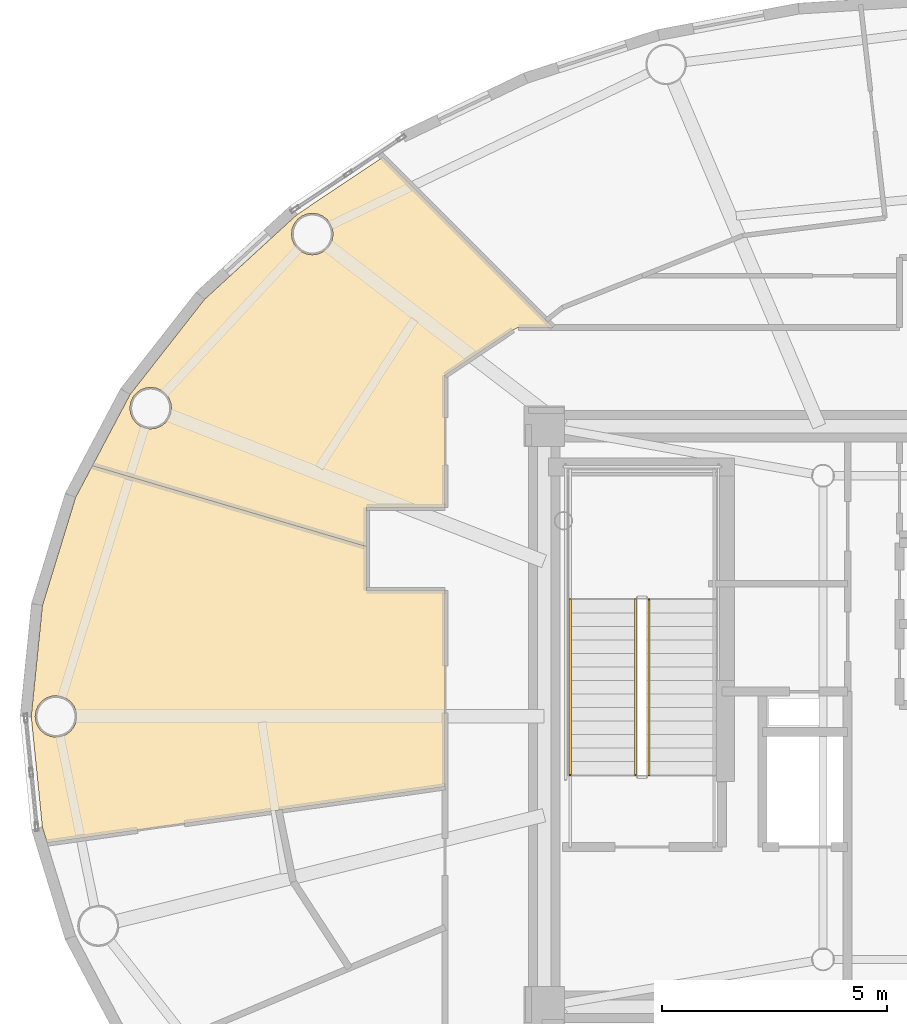
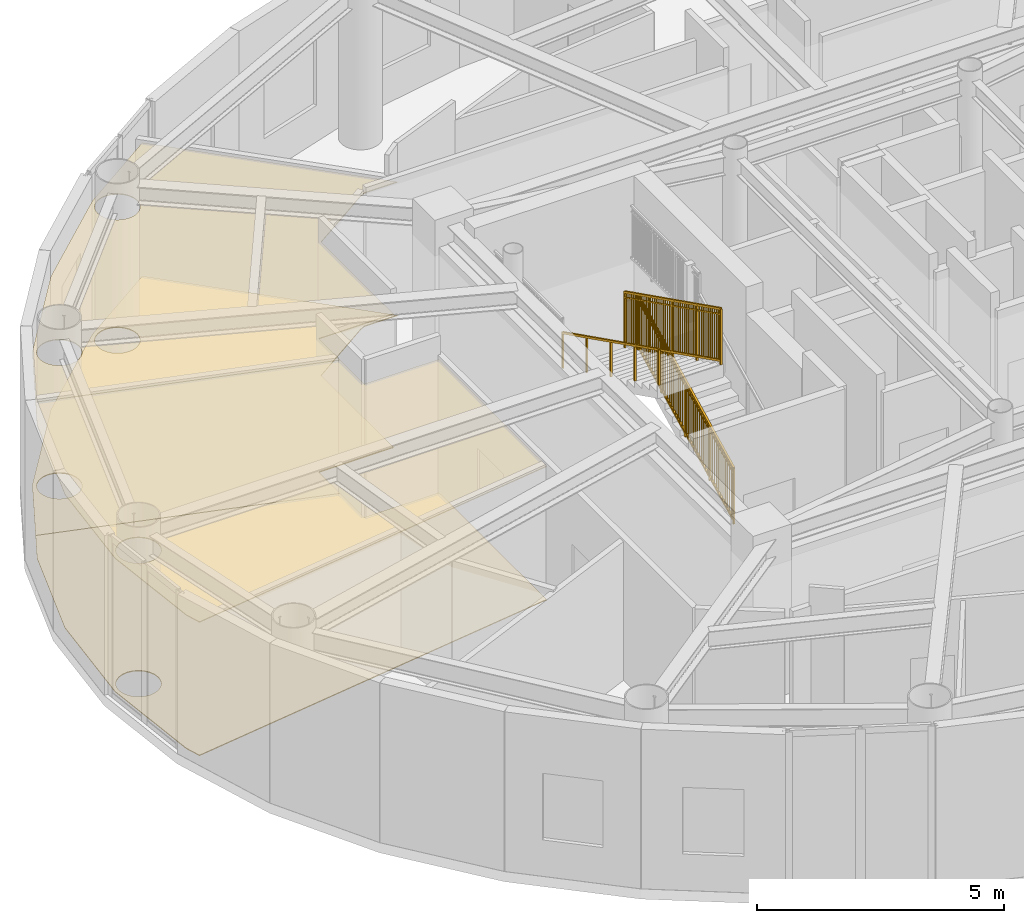
# One storey, part 22 of 24: 4 coverings, 3 railings.
"""IFC4 building model written with IfcOpenShell, lengths in metres."""

from ifc_helpers import new_model, si_unit, direction, frame, origin, origin_2d, place, context, subcontext, project, spatial, polyline, rectangle, outline, extrude, source, transform, mapped, material, layer, layer_set, type_object, element, save


model = new_model("IFC4")

# Units and contexts
model_context = context("Model", 3, precision=1e-05, world=origin(), true_north=direction((0.0, 1.0)))
body_context = subcontext(model_context, "Body", "Model", "MODEL_VIEW")
ifc_project = project(units=[si_unit("LENGTHUNIT", "METRE"), si_unit("AREAUNIT", "SQUARE_METRE"), si_unit("VOLUMEUNIT", "CUBIC_METRE"), si_unit("PLANEANGLEUNIT", "RADIAN"), si_unit("MASSUNIT", "GRAM", prefix="KILO")], contexts=[model_context])

# Site, building, storey
site_placement = place(None, origin())
site = spatial("IfcSite", under=ifc_project, at=site_placement, CompositionType="ELEMENT")
building_placement = place(site_placement, origin())
building = spatial("IfcBuilding", under=site, at=building_placement, Name="Linh Dai School and Residence Tower", CompositionType="ELEMENT")
storey_placement = place(building_placement, frame((0.0, 0.0, 355.199951171875)))
storey = spatial("IfcBuildingStorey", under=building, at=storey_placement, Name="L88", CompositionType="ELEMENT", Elevation=355.199951171875)

# Coverings
ifc_material_1 = material(Name="Mineral Fibre Acoustic Suspended Ceiling", Category="masonry")
ifc_layer_1 = layer(ifc_material_1, 0.02001953125)
ifc_layer_set_1 = layer_set([ifc_layer_1], Name="Mineral Fibre Acoustic Suspended Ceiling")
covering_type_1 = type_object("IfcCoveringType", Name="COV-CEIL-AC-20", PredefinedType="CEILING", material=ifc_layer_set_1)
covering_1_placement = place(storey_placement, frame((0.0, 0.0, 3.300048828125)))
element("IfcCovering", 1, at=covering_1_placement, inside=storey, type_object=covering_type_1, Name="L88 Crown Sky Wintergarden Lounge Suspended Ceiling", PredefinedType="CEILING", context=body_context, shape_type="SweptSolid", body=[
    extrude(outline(polyline([(19.598388671875, 36.266845703125), (21.658447265625, 38.15576171875), (23.5673828125, 39.4326171875), (27.35009765625, 35.64990234375), (26.580078125, 35.64990234375), (26.458740234375, 35.591796875), (24.949951171875, 34.58251953125), (24.949951171875, 31.64990234375), (23.199951171875, 31.64990234375), (23.199951171875, 30.777099609375), (17.109130859375, 32.57421875), (17.94384765625, 34.152587890625), (19.598388671875, 36.266845703125)]), holes=[polyline([(22.44384765625, 37.603271484375), (22.459716796875, 37.722900390625), (22.44384765625, 37.84228515625), (22.397705078125, 37.953857421875), (22.32421875, 38.049560546875), (22.228515625, 38.122802734375), (22.1171875, 38.1689453125), (21.99755859375, 38.184814453125), (21.8779296875, 38.1689453125), (21.7666015625, 38.122802734375), (21.6708984375, 38.049560546875), (21.597412109375, 37.953857421875), (21.55126953125, 37.84228515625), (21.53564453125, 37.722900390625), (21.55126953125, 37.603271484375), (21.597412109375, 37.49169921875), (21.6708984375, 37.39599609375), (21.7666015625, 37.32275390625), (21.8779296875, 37.276611328125), (21.99755859375, 37.2607421875), (22.1171875, 37.276611328125), (22.228515625, 37.32275390625), (22.32421875, 37.39599609375), (22.397705078125, 37.49169921875), (22.44384765625, 37.603271484375)]), polyline([(18.851318359375, 33.73291015625), (18.866943359375, 33.8525390625), (18.851318359375, 33.97216796875), (18.804931640625, 34.08349609375), (18.731689453125, 34.17919921875), (18.635986328125, 34.252685546875), (18.5244140625, 34.298828125), (18.40478515625, 34.314453125), (18.285400390625, 34.298828125), (18.173828125, 34.252685546875), (18.078369140625, 34.17919921875), (18.0048828125, 34.08349609375), (17.958740234375, 33.97216796875), (17.94287109375, 33.8525390625), (17.958740234375, 33.73291015625), (18.0048828125, 33.62158203125), (18.078369140625, 33.52587890625), (18.173828125, 33.452392578125), (18.285400390625, 33.40625), (18.40478515625, 33.390380859375), (18.5244140625, 33.40625), (18.635986328125, 33.452392578125), (18.731689453125, 33.52587890625), (18.804931640625, 33.62158203125), (18.851318359375, 33.73291015625)])]), origin(), (0.0, 0.0, 1.0), 0.02001953125),
])
covering_2_placement = place(storey_placement, frame((0.0, 0.0, 3.300048828125)))
element("IfcCovering", 2, at=covering_2_placement, inside=storey, type_object=covering_type_1, Name="L88 Crown Sky Wintergarden Lounge Reading Room Suspended Ceiling", PredefinedType="CEILING", context=body_context, shape_type="SweptSolid", body=[
    extrude(outline(polyline([(15.75, 27.0), (15.997314453125, 29.4619140625), (16.734375, 31.865478515625), (17.109130859375, 32.57421875), (23.199951171875, 30.777099609375), (23.199951171875, 29.800048828125), (24.949951171875, 29.800048828125), (24.949951171875, 25.439208984375), (16.104248046875, 24.189697265625), (15.997314453125, 24.5380859375), (15.75, 27.0)]), holes=[polyline([(16.746337890625, 27.11962890625), (16.7001953125, 27.23095703125), (16.626708984375, 27.32666015625), (16.531005859375, 27.400146484375), (16.419677734375, 27.4462890625), (16.300048828125, 27.4619140625), (16.180419921875, 27.4462890625), (16.069091796875, 27.400146484375), (15.973388671875, 27.32666015625), (15.89990234375, 27.23095703125), (15.853759765625, 27.11962890625), (15.837890625, 27.0), (15.853759765625, 26.88037109375), (15.89990234375, 26.76904296875), (15.973388671875, 26.67333984375), (16.069091796875, 26.599853515625), (16.180419921875, 26.5537109375), (16.300048828125, 26.5380859375), (16.419677734375, 26.5537109375), (16.531005859375, 26.599853515625), (16.626708984375, 26.67333984375), (16.7001953125, 26.76904296875), (16.746337890625, 26.88037109375), (16.761962890625, 27.0), (16.746337890625, 27.11962890625)])]), origin(), (0.0, 0.0, 1.0), 0.02001953125),
])
ifc_material_2 = material(Name="Polished Terrazzo Floor Finish", Category="masonry")
ifc_layer_2 = layer(ifc_material_2, 0.02490234375)
ifc_layer_set_2 = layer_set([ifc_layer_2], Name="Polished Terrazzo Floor Finish")
covering_type_2 = type_object("IfcCoveringType", Name="COV-FLR-TRZ-25", PredefinedType="FLOORING", material=ifc_layer_set_2)
covering_3_placement = place(storey_placement, origin())
element("IfcCovering", 3, at=covering_3_placement, inside=storey, type_object=covering_type_2, Name="L88 Crown Sky Wintergarden Lounge Floor Finish", PredefinedType="FLOORING", context=body_context, shape_type="SweptSolid", body=[
    extrude(outline(polyline([(19.598388671875, 36.266845703125), (21.658447265625, 38.15576171875), (23.5673828125, 39.4326171875), (27.35009765625, 35.64990234375), (26.580078125, 35.64990234375), (26.458740234375, 35.591796875), (24.949951171875, 34.58251953125), (24.949951171875, 31.64990234375), (23.199951171875, 31.64990234375), (23.199951171875, 30.777099609375), (17.109130859375, 32.57421875), (17.94384765625, 34.152587890625), (19.598388671875, 36.266845703125)]), holes=[polyline([(22.44384765625, 37.603271484375), (22.459716796875, 37.722900390625), (22.44384765625, 37.84228515625), (22.397705078125, 37.953857421875), (22.32421875, 38.049560546875), (22.228515625, 38.122802734375), (22.1171875, 38.1689453125), (21.99755859375, 38.184814453125), (21.8779296875, 38.1689453125), (21.7666015625, 38.122802734375), (21.6708984375, 38.049560546875), (21.597412109375, 37.953857421875), (21.55126953125, 37.84228515625), (21.53564453125, 37.722900390625), (21.55126953125, 37.603271484375), (21.597412109375, 37.49169921875), (21.6708984375, 37.39599609375), (21.7666015625, 37.32275390625), (21.8779296875, 37.276611328125), (21.99755859375, 37.2607421875), (22.1171875, 37.276611328125), (22.228515625, 37.32275390625), (22.32421875, 37.39599609375), (22.397705078125, 37.49169921875), (22.44384765625, 37.603271484375)]), polyline([(18.851318359375, 33.73291015625), (18.866943359375, 33.8525390625), (18.851318359375, 33.97216796875), (18.804931640625, 34.08349609375), (18.731689453125, 34.17919921875), (18.635986328125, 34.252685546875), (18.5244140625, 34.298828125), (18.40478515625, 34.314453125), (18.285400390625, 34.298828125), (18.173828125, 34.252685546875), (18.078369140625, 34.17919921875), (18.0048828125, 34.08349609375), (17.958740234375, 33.97216796875), (17.94287109375, 33.8525390625), (17.958740234375, 33.73291015625), (18.0048828125, 33.62158203125), (18.078369140625, 33.52587890625), (18.173828125, 33.452392578125), (18.285400390625, 33.40625), (18.40478515625, 33.390380859375), (18.5244140625, 33.40625), (18.635986328125, 33.452392578125), (18.731689453125, 33.52587890625), (18.804931640625, 33.62158203125), (18.851318359375, 33.73291015625)])]), origin(), (0.0, 0.0, 1.0), 0.02001953125),
])
covering_4_placement = place(storey_placement, origin())
element("IfcCovering", 4, at=covering_4_placement, inside=storey, type_object=covering_type_2, Name="L88 Crown Sky Wintergarden Lounge Reading Room Floor Finish", PredefinedType="FLOORING", context=body_context, shape_type="SweptSolid", body=[
    extrude(outline(polyline([(15.75, 27.0), (15.997314453125, 29.4619140625), (16.734375, 31.865478515625), (17.109130859375, 32.57421875), (23.199951171875, 30.777099609375), (23.199951171875, 29.800048828125), (24.949951171875, 29.800048828125), (24.949951171875, 25.439208984375), (16.104248046875, 24.189697265625), (15.997314453125, 24.5380859375), (15.75, 27.0)]), holes=[polyline([(16.746337890625, 27.11962890625), (16.7001953125, 27.23095703125), (16.626708984375, 27.32666015625), (16.531005859375, 27.400146484375), (16.419677734375, 27.4462890625), (16.300048828125, 27.4619140625), (16.180419921875, 27.4462890625), (16.069091796875, 27.400146484375), (15.973388671875, 27.32666015625), (15.89990234375, 27.23095703125), (15.853759765625, 27.11962890625), (15.837890625, 27.0), (15.853759765625, 26.88037109375), (15.89990234375, 26.76904296875), (15.973388671875, 26.67333984375), (16.069091796875, 26.599853515625), (16.180419921875, 26.5537109375), (16.300048828125, 26.5380859375), (16.419677734375, 26.5537109375), (16.531005859375, 26.599853515625), (16.626708984375, 26.67333984375), (16.7001953125, 26.76904296875), (16.746337890625, 26.88037109375), (16.761962890625, 27.0), (16.746337890625, 27.11962890625)])]), origin(), (0.0, 0.0, 1.0), 0.02001953125),
])

# Railings
ifc_material_3 = material(Name="Structural Steel S355JR", Category="steel")
railing_type_1 = type_object("IfcRailingType", Name="RL-ST-GUARD-1400", PredefinedType="GUARDRAIL", material=ifc_material_3)
shared_shape_1 = source(origin(), body_context, "Body", "SweptSolid", [
    extrude(rectangle(XDim=0.048095703125, YDim=0.048095703125, at=origin_2d()), frame((0.0, 0.0, 1.3759765625), z_axis=(0.0, -0.894438388696, 0.447191199406), x_axis=(1.0, 0.0, 0.0)), (0.0, 0.0, 1.0), 4.3603515625),
    extrude(rectangle(XDim=0.048095703125, YDim=0.048095703125, at=origin_2d()), frame((0.0, 0.0, 0.10009765625), z_axis=(0.0, -0.894438388696, 0.447191199406), x_axis=(1.0, 0.0, 0.0)), (0.0, 0.0, 1.0), 4.3603515625),
    extrude(rectangle(XDim=0.030029296875, YDim=0.030029296875, at=origin_2d()), frame((0.0, 0.0, 1.239990234375), z_axis=(0.0, -0.894438388696, 0.447191199406), x_axis=(1.0, 0.0, 0.0)), (0.0, 0.0, 1.0), 4.3603515625),
    extrude(rectangle(XDim=0.02001953125, YDim=0.02001953125, at=origin_2d()), frame((0.0, -0.086669921875, 0.143310546875)), (0.0, 0.0, 1.0), 1.251708984375),
    extrude(rectangle(XDim=0.02001953125, YDim=0.02001953125, at=origin_2d()), frame((0.0, -0.17333984375, 0.186767578125)), (0.0, 0.0, 1.0), 1.251708984375),
    extrude(rectangle(XDim=0.02001953125, YDim=0.02001953125, at=origin_2d()), frame((0.0, -0.260009765625, 0.22998046875)), (0.0, 0.0, 1.0), 1.251708984375),
    extrude(rectangle(XDim=0.02001953125, YDim=0.02001953125, at=origin_2d()), frame((0.0, -0.3466796875, 0.2734375)), (0.0, 0.0, 1.0), 1.251708984375),
    extrude(rectangle(XDim=0.02001953125, YDim=0.02001953125, at=origin_2d()), frame((0.0, -0.433349609375, 0.316650390625)), (0.0, 0.0, 1.0), 1.251708984375),
    extrude(rectangle(XDim=0.02001953125, YDim=0.02001953125, at=origin_2d()), frame((0.0, -0.52001953125, 0.360107421875)), (0.0, 0.0, 1.0), 1.251708984375),
    extrude(rectangle(XDim=0.02001953125, YDim=0.02001953125, at=origin_2d()), frame((0.0, -0.606689453125, 0.4033203125)), (0.0, 0.0, 1.0), 1.251708984375),
    extrude(rectangle(XDim=0.02001953125, YDim=0.02001953125, at=origin_2d()), frame((0.0, -0.693359375, 0.44677734375)), (0.0, 0.0, 1.0), 1.251708984375),
    extrude(rectangle(XDim=0.02001953125, YDim=0.02001953125, at=origin_2d()), frame((0.0, -0.780029296875, 0.489990234375)), (0.0, 0.0, 1.0), 1.251708984375),
    extrude(rectangle(XDim=0.02001953125, YDim=0.02001953125, at=origin_2d()), frame((0.0, -0.86669921875, 0.533447265625)), (0.0, 0.0, 1.0), 1.251708984375),
    extrude(rectangle(XDim=0.02001953125, YDim=0.02001953125, at=origin_2d()), frame((0.0, -1.0400390625, 0.6201171875)), (0.0, 0.0, 1.0), 1.251708984375),
    extrude(rectangle(XDim=0.02001953125, YDim=0.02001953125, at=origin_2d()), frame((0.0, -1.126708984375, 0.663330078125)), (0.0, 0.0, 1.0), 1.251708984375),
    extrude(rectangle(XDim=0.02001953125, YDim=0.02001953125, at=origin_2d()), frame((0.0, -1.21337890625, 0.706787109375)), (0.0, 0.0, 1.0), 1.251708984375),
    extrude(rectangle(XDim=0.02001953125, YDim=0.02001953125, at=origin_2d()), frame((0.0, -1.300048828125, 0.75)), (0.0, 0.0, 1.0), 1.251708984375),
    extrude(rectangle(XDim=0.02001953125, YDim=0.02001953125, at=origin_2d()), frame((0.0, -1.38671875, 0.79345703125)), (0.0, 0.0, 1.0), 1.251708984375),
    extrude(rectangle(XDim=0.02001953125, YDim=0.02001953125, at=origin_2d()), frame((0.0, -1.473388671875, 0.836669921875)), (0.0, 0.0, 1.0), 1.251708984375),
    extrude(rectangle(XDim=0.02001953125, YDim=0.02001953125, at=origin_2d()), frame((0.0, -1.56005859375, 0.880126953125)), (0.0, 0.0, 1.0), 1.251708984375),
    extrude(rectangle(XDim=0.02001953125, YDim=0.02001953125, at=origin_2d()), frame((0.0, -1.646728515625, 0.92333984375)), (0.0, 0.0, 1.0), 1.251708984375),
    extrude(rectangle(XDim=0.02001953125, YDim=0.02001953125, at=origin_2d()), frame((0.0, -1.7333984375, 0.966796875)), (0.0, 0.0, 1.0), 1.251708984375),
    extrude(rectangle(XDim=0.02001953125, YDim=0.02001953125, at=origin_2d()), frame((0.0, -1.820068359375, 1.010009765625)), (0.0, 0.0, 1.0), 1.251708984375),
    extrude(rectangle(XDim=0.02001953125, YDim=0.02001953125, at=origin_2d()), frame((0.0, -1.90673828125, 1.053466796875)), (0.0, 0.0, 1.0), 1.251708984375),
    extrude(rectangle(XDim=0.02001953125, YDim=0.02001953125, at=origin_2d()), frame((0.0, -1.993408203125, 1.0966796875)), (0.0, 0.0, 1.0), 1.251708984375),
    extrude(rectangle(XDim=0.02001953125, YDim=0.02001953125, at=origin_2d()), frame((0.0, -2.080078125, 1.14013671875)), (0.0, 0.0, 1.0), 1.251708984375),
    extrude(rectangle(XDim=0.02001953125, YDim=0.02001953125, at=origin_2d()), frame((0.0, -2.166748046875, 1.183349609375)), (0.0, 0.0, 1.0), 1.251708984375),
    extrude(rectangle(XDim=0.02001953125, YDim=0.02001953125, at=origin_2d()), frame((0.0, -2.25341796875, 1.226806640625)), (0.0, 0.0, 1.0), 1.251708984375),
    extrude(rectangle(XDim=0.02001953125, YDim=0.02001953125, at=origin_2d()), frame((0.0, -2.340087890625, 1.27001953125)), (0.0, 0.0, 1.0), 1.251708984375),
    extrude(rectangle(XDim=0.02001953125, YDim=0.02001953125, at=origin_2d()), frame((0.0, -2.4267578125, 1.3134765625)), (0.0, 0.0, 1.0), 1.251708984375),
    extrude(rectangle(XDim=0.02001953125, YDim=0.02001953125, at=origin_2d()), frame((0.0, -2.513427734375, 1.356689453125)), (0.0, 0.0, 1.0), 1.251708984375),
    extrude(rectangle(XDim=0.02001953125, YDim=0.02001953125, at=origin_2d()), frame((0.0, -2.60009765625, 1.400146484375)), (0.0, 0.0, 1.0), 1.251708984375),
    extrude(rectangle(XDim=0.02001953125, YDim=0.02001953125, at=origin_2d()), frame((0.0, -2.686767578125, 1.443359375)), (0.0, 0.0, 1.0), 1.251708984375),
    extrude(rectangle(XDim=0.02001953125, YDim=0.02001953125, at=origin_2d()), frame((0.0, -2.7734375, 1.48681640625)), (0.0, 0.0, 1.0), 1.251708984375),
    extrude(rectangle(XDim=0.02001953125, YDim=0.02001953125, at=origin_2d()), frame((0.0, -2.860107421875, 1.530029296875)), (0.0, 0.0, 1.0), 1.251708984375),
    extrude(rectangle(XDim=0.02001953125, YDim=0.02001953125, at=origin_2d()), frame((0.0, -3.033447265625, 1.61669921875)), (0.0, 0.0, 1.0), 1.251708984375),
    extrude(rectangle(XDim=0.02001953125, YDim=0.02001953125, at=origin_2d()), frame((0.0, -3.1201171875, 1.66015625)), (0.0, 0.0, 1.0), 1.251708984375),
    extrude(rectangle(XDim=0.02001953125, YDim=0.02001953125, at=origin_2d()), frame((0.0, -3.206787109375, 1.703369140625)), (0.0, 0.0, 1.0), 1.251708984375),
    extrude(rectangle(XDim=0.02001953125, YDim=0.02001953125, at=origin_2d()), frame((0.0, -3.29345703125, 1.746826171875)), (0.0, 0.0, 1.0), 1.251708984375),
    extrude(rectangle(XDim=0.02001953125, YDim=0.02001953125, at=origin_2d()), frame((0.0, -3.380126953125, 1.7900390625)), (0.0, 0.0, 1.0), 1.251708984375),
    extrude(rectangle(XDim=0.02001953125, YDim=0.02001953125, at=origin_2d()), frame((0.0, -3.466796875, 1.83349609375)), (0.0, 0.0, 1.0), 1.251708984375),
    extrude(rectangle(XDim=0.02001953125, YDim=0.02001953125, at=origin_2d()), frame((0.0, -3.553466796875, 1.876708984375)), (0.0, 0.0, 1.0), 1.251708984375),
    extrude(rectangle(XDim=0.02001953125, YDim=0.02001953125, at=origin_2d()), frame((0.0, -3.64013671875, 1.920166015625)), (0.0, 0.0, 1.0), 1.251708984375),
    extrude(rectangle(XDim=0.02001953125, YDim=0.02001953125, at=origin_2d()), frame((0.0, -3.726806640625, 1.96337890625)), (0.0, 0.0, 1.0), 1.251708984375),
    extrude(rectangle(XDim=0.02001953125, YDim=0.02001953125, at=origin_2d()), frame((0.0, -3.8134765625, 2.0068359375)), (0.0, 0.0, 1.0), 1.251708984375),
    extrude(rectangle(XDim=0.0419921875, YDim=0.0419921875, at=origin_2d()), origin(), (0.0, 0.0, 1.0), 1.3759765625),
    extrude(rectangle(XDim=0.0419921875, YDim=0.0419921875, at=origin_2d()), frame((0.0, -0.97509765625, 0.487548828125)), (0.0, 0.0, 1.0), 1.3759765625),
    extrude(rectangle(XDim=0.0419921875, YDim=0.0419921875, at=origin_2d()), frame((0.0, -1.9501953125, 0.97509765625)), (0.0, 0.0, 1.0), 1.3759765625),
    extrude(rectangle(XDim=0.0419921875, YDim=0.0419921875, at=origin_2d()), frame((0.0, -2.925048828125, 1.46240234375)), (0.0, 0.0, 1.0), 1.3759765625),
    extrude(rectangle(XDim=0.0419921875, YDim=0.0419921875, at=origin_2d()), frame((0.0, -3.900146484375, 1.949951171875)), (0.0, 0.0, 1.0), 1.3759765625),
])
railing_1_placement = place(storey_placement, frame((29.179931640625, 29.60009765625, 2.25)))
element("IfcRailing", 5, at=railing_1_placement, inside=storey, type_object=railing_type_1, Name="L88 ST1 stair guard 6", PredefinedType="GUARDRAIL", context=body_context, shape_type="MappedRepresentation", body=[
    mapped(shared_shape_1, transform((0.0, 0.0, 0.0), x_axis=(1.0, 0.0, 0.0), y_axis=(0.0, 1.0, 0.0), z_axis=(0.0, 0.0, 1.0), scale=1.0)),
])
ifc_material_4 = material(Name="Brushed Stainless Steel Handrail", Category="steel")
railing_type_2 = type_object("IfcRailingType", Name="RL-ST-HANDRAIL-900", PredefinedType="HANDRAIL", material=ifc_material_4)
shared_shape_2 = source(origin(), body_context, "Body", "SweptSolid", [
    extrude(rectangle(XDim=0.048095703125, YDim=0.048095703125, at=origin_2d()), frame((0.0, 0.0, 0.8759765625), z_axis=(0.0, -0.894438388696, 0.447191199406), x_axis=(1.0, 0.0, 0.0)), (0.0, 0.0, 1.0), 4.3603515625),
    extrude(rectangle(XDim=0.0419921875, YDim=0.0419921875, at=origin_2d()), origin(), (0.0, 0.0, 1.0), 0.8759765625),
    extrude(rectangle(XDim=0.0419921875, YDim=0.0419921875, at=origin_2d()), frame((0.0, -0.97509765625, 0.487548828125)), (0.0, 0.0, 1.0), 0.8759765625),
    extrude(rectangle(XDim=0.0419921875, YDim=0.0419921875, at=origin_2d()), frame((0.0, -1.9501953125, 0.97509765625)), (0.0, 0.0, 1.0), 0.8759765625),
    extrude(rectangle(XDim=0.0419921875, YDim=0.0419921875, at=origin_2d()), frame((0.0, -2.925048828125, 1.46240234375)), (0.0, 0.0, 1.0), 0.8759765625),
    extrude(rectangle(XDim=0.0419921875, YDim=0.0419921875, at=origin_2d()), frame((0.0, -3.900146484375, 1.949951171875)), (0.0, 0.0, 1.0), 0.8759765625),
])
railing_2_placement = place(storey_placement, frame((27.72998046875, 29.60009765625, 2.25)))
element("IfcRailing", 6, at=railing_2_placement, inside=storey, type_object=railing_type_2, Name="L88 ST1 stair handrail 2", PredefinedType="HANDRAIL", context=body_context, shape_type="MappedRepresentation", body=[
    mapped(shared_shape_2, transform((0.0, 0.0, 0.0), x_axis=(1.0, 0.0, 0.0), y_axis=(0.0, 1.0, 0.0), z_axis=(0.0, 0.0, 1.0), scale=1.0)),
])
shared_shape_3 = source(origin(), body_context, "Body", "SweptSolid", [
    extrude(rectangle(XDim=0.048095703125, YDim=0.048095703125, at=origin_2d()), frame((0.0, 0.0, 1.3759765625), z_axis=(0.0, 0.894438388696, 0.447191199406), x_axis=(-1.0, 0.0, 0.0)), (0.0, 0.0, 1.0), 4.3603515625),
    extrude(rectangle(XDim=0.048095703125, YDim=0.048095703125, at=origin_2d()), frame((0.0, 0.0, 0.10009765625), z_axis=(0.0, 0.894438388696, 0.447191199406), x_axis=(-1.0, 0.0, 0.0)), (0.0, 0.0, 1.0), 4.3603515625),
    extrude(rectangle(XDim=0.030029296875, YDim=0.030029296875, at=origin_2d()), frame((0.0, 0.0, 1.239990234375), z_axis=(0.0, 0.894438388696, 0.447191199406), x_axis=(-1.0, 0.0, 0.0)), (0.0, 0.0, 1.0), 4.3603515625),
    extrude(rectangle(XDim=0.02001953125, YDim=0.02001953125, at=origin_2d()), frame((0.0, 0.086669921875, 0.143310546875)), (0.0, 0.0, 1.0), 1.251708984375),
    extrude(rectangle(XDim=0.02001953125, YDim=0.02001953125, at=origin_2d()), frame((0.0, 0.17333984375, 0.186767578125)), (0.0, 0.0, 1.0), 1.251708984375),
    extrude(rectangle(XDim=0.02001953125, YDim=0.02001953125, at=origin_2d()), frame((0.0, 0.260009765625, 0.22998046875)), (0.0, 0.0, 1.0), 1.251708984375),
    extrude(rectangle(XDim=0.02001953125, YDim=0.02001953125, at=origin_2d()), frame((0.0, 0.3466796875, 0.2734375)), (0.0, 0.0, 1.0), 1.251708984375),
    extrude(rectangle(XDim=0.02001953125, YDim=0.02001953125, at=origin_2d()), frame((0.0, 0.433349609375, 0.316650390625)), (0.0, 0.0, 1.0), 1.251708984375),
    extrude(rectangle(XDim=0.02001953125, YDim=0.02001953125, at=origin_2d()), frame((0.0, 0.52001953125, 0.360107421875)), (0.0, 0.0, 1.0), 1.251708984375),
    extrude(rectangle(XDim=0.02001953125, YDim=0.02001953125, at=origin_2d()), frame((0.0, 0.606689453125, 0.4033203125)), (0.0, 0.0, 1.0), 1.251708984375),
    extrude(rectangle(XDim=0.02001953125, YDim=0.02001953125, at=origin_2d()), frame((0.0, 0.693359375, 0.44677734375)), (0.0, 0.0, 1.0), 1.251708984375),
    extrude(rectangle(XDim=0.02001953125, YDim=0.02001953125, at=origin_2d()), frame((0.0, 0.780029296875, 0.489990234375)), (0.0, 0.0, 1.0), 1.251708984375),
    extrude(rectangle(XDim=0.02001953125, YDim=0.02001953125, at=origin_2d()), frame((0.0, 0.86669921875, 0.533447265625)), (0.0, 0.0, 1.0), 1.251708984375),
    extrude(rectangle(XDim=0.02001953125, YDim=0.02001953125, at=origin_2d()), frame((0.0, 1.0400390625, 0.6201171875)), (0.0, 0.0, 1.0), 1.251708984375),
    extrude(rectangle(XDim=0.02001953125, YDim=0.02001953125, at=origin_2d()), frame((0.0, 1.126708984375, 0.663330078125)), (0.0, 0.0, 1.0), 1.251708984375),
    extrude(rectangle(XDim=0.02001953125, YDim=0.02001953125, at=origin_2d()), frame((0.0, 1.21337890625, 0.706787109375)), (0.0, 0.0, 1.0), 1.251708984375),
    extrude(rectangle(XDim=0.02001953125, YDim=0.02001953125, at=origin_2d()), frame((0.0, 1.300048828125, 0.75)), (0.0, 0.0, 1.0), 1.251708984375),
    extrude(rectangle(XDim=0.02001953125, YDim=0.02001953125, at=origin_2d()), frame((0.0, 1.38671875, 0.79345703125)), (0.0, 0.0, 1.0), 1.251708984375),
    extrude(rectangle(XDim=0.02001953125, YDim=0.02001953125, at=origin_2d()), frame((0.0, 1.473388671875, 0.836669921875)), (0.0, 0.0, 1.0), 1.251708984375),
    extrude(rectangle(XDim=0.02001953125, YDim=0.02001953125, at=origin_2d()), frame((0.0, 1.56005859375, 0.880126953125)), (0.0, 0.0, 1.0), 1.251708984375),
    extrude(rectangle(XDim=0.02001953125, YDim=0.02001953125, at=origin_2d()), frame((0.0, 1.646728515625, 0.92333984375)), (0.0, 0.0, 1.0), 1.251708984375),
    extrude(rectangle(XDim=0.02001953125, YDim=0.02001953125, at=origin_2d()), frame((0.0, 1.7333984375, 0.966796875)), (0.0, 0.0, 1.0), 1.251708984375),
    extrude(rectangle(XDim=0.02001953125, YDim=0.02001953125, at=origin_2d()), frame((0.0, 1.820068359375, 1.010009765625)), (0.0, 0.0, 1.0), 1.251708984375),
    extrude(rectangle(XDim=0.02001953125, YDim=0.02001953125, at=origin_2d()), frame((0.0, 1.90673828125, 1.053466796875)), (0.0, 0.0, 1.0), 1.251708984375),
    extrude(rectangle(XDim=0.02001953125, YDim=0.02001953125, at=origin_2d()), frame((0.0, 1.993408203125, 1.0966796875)), (0.0, 0.0, 1.0), 1.251708984375),
    extrude(rectangle(XDim=0.02001953125, YDim=0.02001953125, at=origin_2d()), frame((0.0, 2.080078125, 1.14013671875)), (0.0, 0.0, 1.0), 1.251708984375),
    extrude(rectangle(XDim=0.02001953125, YDim=0.02001953125, at=origin_2d()), frame((0.0, 2.166748046875, 1.183349609375)), (0.0, 0.0, 1.0), 1.251708984375),
    extrude(rectangle(XDim=0.02001953125, YDim=0.02001953125, at=origin_2d()), frame((0.0, 2.25341796875, 1.226806640625)), (0.0, 0.0, 1.0), 1.251708984375),
    extrude(rectangle(XDim=0.02001953125, YDim=0.02001953125, at=origin_2d()), frame((0.0, 2.340087890625, 1.27001953125)), (0.0, 0.0, 1.0), 1.251708984375),
    extrude(rectangle(XDim=0.02001953125, YDim=0.02001953125, at=origin_2d()), frame((0.0, 2.4267578125, 1.3134765625)), (0.0, 0.0, 1.0), 1.251708984375),
    extrude(rectangle(XDim=0.02001953125, YDim=0.02001953125, at=origin_2d()), frame((0.0, 2.513427734375, 1.356689453125)), (0.0, 0.0, 1.0), 1.251708984375),
    extrude(rectangle(XDim=0.02001953125, YDim=0.02001953125, at=origin_2d()), frame((0.0, 2.60009765625, 1.400146484375)), (0.0, 0.0, 1.0), 1.251708984375),
    extrude(rectangle(XDim=0.02001953125, YDim=0.02001953125, at=origin_2d()), frame((0.0, 2.686767578125, 1.443359375)), (0.0, 0.0, 1.0), 1.251708984375),
    extrude(rectangle(XDim=0.02001953125, YDim=0.02001953125, at=origin_2d()), frame((0.0, 2.7734375, 1.48681640625)), (0.0, 0.0, 1.0), 1.251708984375),
    extrude(rectangle(XDim=0.02001953125, YDim=0.02001953125, at=origin_2d()), frame((0.0, 2.860107421875, 1.530029296875)), (0.0, 0.0, 1.0), 1.251708984375),
    extrude(rectangle(XDim=0.02001953125, YDim=0.02001953125, at=origin_2d()), frame((0.0, 3.033447265625, 1.61669921875)), (0.0, 0.0, 1.0), 1.251708984375),
    extrude(rectangle(XDim=0.02001953125, YDim=0.02001953125, at=origin_2d()), frame((0.0, 3.1201171875, 1.66015625)), (0.0, 0.0, 1.0), 1.251708984375),
    extrude(rectangle(XDim=0.02001953125, YDim=0.02001953125, at=origin_2d()), frame((0.0, 3.206787109375, 1.703369140625)), (0.0, 0.0, 1.0), 1.251708984375),
    extrude(rectangle(XDim=0.02001953125, YDim=0.02001953125, at=origin_2d()), frame((0.0, 3.29345703125, 1.746826171875)), (0.0, 0.0, 1.0), 1.251708984375),
    extrude(rectangle(XDim=0.02001953125, YDim=0.02001953125, at=origin_2d()), frame((0.0, 3.380126953125, 1.7900390625)), (0.0, 0.0, 1.0), 1.251708984375),
    extrude(rectangle(XDim=0.02001953125, YDim=0.02001953125, at=origin_2d()), frame((0.0, 3.466796875, 1.83349609375)), (0.0, 0.0, 1.0), 1.251708984375),
    extrude(rectangle(XDim=0.02001953125, YDim=0.02001953125, at=origin_2d()), frame((0.0, 3.553466796875, 1.876708984375)), (0.0, 0.0, 1.0), 1.251708984375),
    extrude(rectangle(XDim=0.02001953125, YDim=0.02001953125, at=origin_2d()), frame((0.0, 3.64013671875, 1.920166015625)), (0.0, 0.0, 1.0), 1.251708984375),
    extrude(rectangle(XDim=0.02001953125, YDim=0.02001953125, at=origin_2d()), frame((0.0, 3.726806640625, 1.96337890625)), (0.0, 0.0, 1.0), 1.251708984375),
    extrude(rectangle(XDim=0.02001953125, YDim=0.02001953125, at=origin_2d()), frame((0.0, 3.8134765625, 2.0068359375)), (0.0, 0.0, 1.0), 1.251708984375),
    extrude(rectangle(XDim=0.0419921875, YDim=0.0419921875, at=origin_2d()), origin(), (0.0, 0.0, 1.0), 1.3759765625),
    extrude(rectangle(XDim=0.0419921875, YDim=0.0419921875, at=origin_2d()), frame((0.0, 0.97509765625, 0.487548828125)), (0.0, 0.0, 1.0), 1.3759765625),
    extrude(rectangle(XDim=0.0419921875, YDim=0.0419921875, at=origin_2d()), frame((0.0, 1.9501953125, 0.97509765625)), (0.0, 0.0, 1.0), 1.3759765625),
    extrude(rectangle(XDim=0.0419921875, YDim=0.0419921875, at=origin_2d()), frame((0.0, 2.925048828125, 1.46240234375)), (0.0, 0.0, 1.0), 1.3759765625),
    extrude(rectangle(XDim=0.0419921875, YDim=0.0419921875, at=origin_2d()), frame((0.0, 3.900146484375, 1.949951171875)), (0.0, 0.0, 1.0), 1.3759765625),
])
railing_3_placement = place(storey_placement, frame((29.47998046875, 25.699951171875, 0.150146484375)))
element("IfcRailing", 7, at=railing_3_placement, inside=storey, type_object=railing_type_1, Name="L88 ST1 stair guard 1", PredefinedType="GUARDRAIL", context=body_context, shape_type="MappedRepresentation", body=[
    mapped(shared_shape_3, transform((0.0, 0.0, 0.0), x_axis=(1.0, 0.0, 0.0), y_axis=(0.0, 1.0, 0.0), z_axis=(0.0, 0.0, 1.0), scale=1.0)),
])

save(model, "model.ifc")
